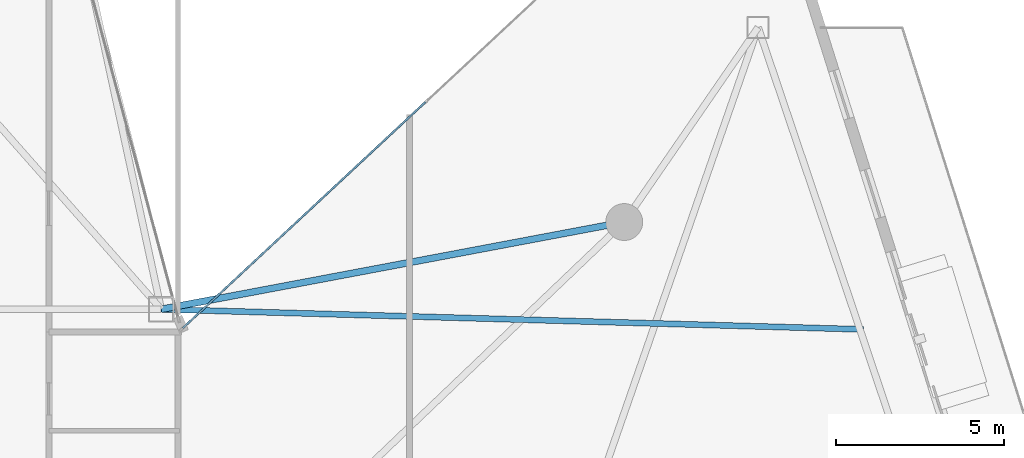
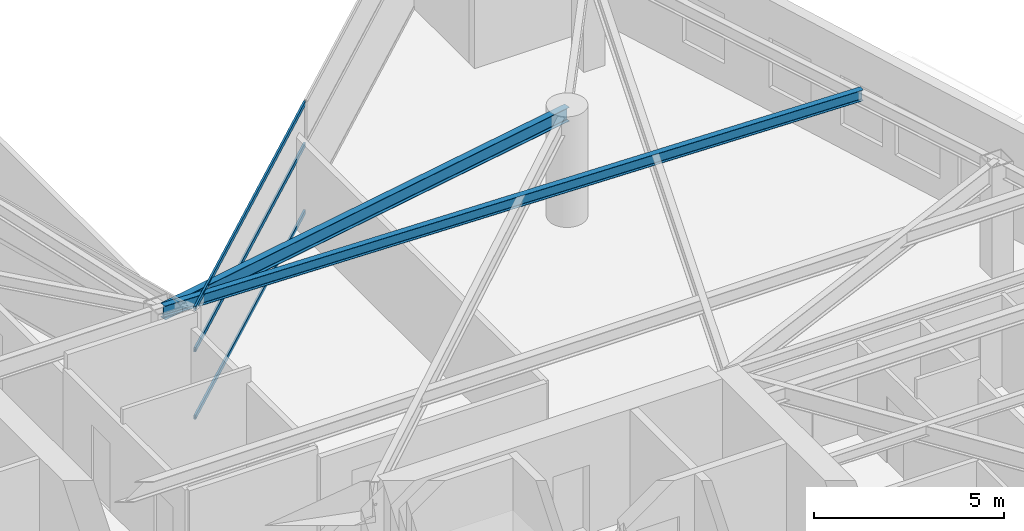
# One storey, part 11 of 28: 3 members, 2 beams, 1 element without a shape of its own.
"""IFC4 building model written with IfcOpenShell, lengths in metres."""

from ifc_helpers import new_model, si_unit, direction, frame, origin, origin_2d, place, context, subcontext, project, spatial, hollow_rectangle, i_section, extrude, material, layer, layer_set, material_profile, profile_set, type_object, element, aggregate, save


model = new_model("IFC4")

# Units and contexts
model_context = context("Model", 3, precision=1e-05, world=origin(), true_north=direction((0.0, 1.0)))
body_context = subcontext(model_context, "Body", "Model", "MODEL_VIEW")
ifc_project = project(units=[si_unit("LENGTHUNIT", "METRE"), si_unit("AREAUNIT", "SQUARE_METRE"), si_unit("VOLUMEUNIT", "CUBIC_METRE"), si_unit("PLANEANGLEUNIT", "RADIAN"), si_unit("MASSUNIT", "GRAM", prefix="KILO")], contexts=[model_context])

# Site, building, storey
site_placement = place(None, origin())
site = spatial("IfcSite", under=ifc_project, at=site_placement, CompositionType="ELEMENT")
building_placement = place(site_placement, origin())
building = spatial("IfcBuilding", under=site, at=building_placement, Name="Calvorn Quay Hotel", CompositionType="ELEMENT")
storey_placement = place(building_placement, frame((0.0, 0.0, 219.300048828125)))
storey = spatial("IfcBuildingStorey", under=building, at=storey_placement, Name="L54", CompositionType="ELEMENT", Elevation=219.300048828125)

# Beams
ifc_material_1 = material(Name="Steel Q355B", Category="steel")
ifc_material_profile_1 = material_profile(ifc_material_1, i_section(OverallWidth=0.175048828125, OverallDepth=0.35009765625, WebThickness=0.007080078125, FlangeThickness=0.010986328125, FilletRadius=0.013916015625, at=origin_2d()), Name="HN350x175x7x11")
ifc_profile_set_1 = profile_set([ifc_material_profile_1], Name="Steel Q355B")
beam_type_1 = type_object("IfcBeamType", Name="BM-JOIST-SEC", PredefinedType="JOIST", material=ifc_profile_set_1)
beam_1_placement = place(storey_placement, frame((21.0, 25.0, 3.364990234375), z_axis=(0.999589103827, -0.028663975842, 0.0), x_axis=(0.028663975842, 0.999589103827, 0.0)))
element("IfcBeam", 1, at=beam_1_placement, inside=storey, type_object=beam_type_1, Name="Beam BJ-L54-E3", PredefinedType="JOIST", context=body_context, shape_type="SweptSolid", body=[
    extrude(i_section(OverallWidth=0.175048828125, OverallDepth=0.35009765625, WebThickness=0.007080078125, FlangeThickness=0.010986328125, FilletRadius=0.013916015625, at=origin_2d()), origin(), (0.0, 0.0, 1.0), 20.935546875),
])
ifc_material_2 = material(Name="Steel Q355B", Category="steel")
ifc_material_profile_2 = material_profile(ifc_material_2, i_section(OverallWidth=0.199951171875, OverallDepth=0.449951171875, WebThickness=0.009033203125, FlangeThickness=0.013916015625, FilletRadius=0.01611328125, at=origin_2d()), Name="HN450x200x9x14")
ifc_profile_set_2 = profile_set([ifc_material_profile_2], Name="Steel Q355B")
beam_type_2 = type_object("IfcBeamType", Name="BM-SPANDREL-Z3", PredefinedType="SPANDREL", material=ifc_profile_set_2)
beam_2_placement = place(storey_placement, frame((34.800048828125, 27.60009765625, 3.31494140625), z_axis=(-0.982709432406, -0.185154452988, 0.0), x_axis=(0.185154452988, -0.982709432406, 0.0)))
element("IfcBeam", 2, at=beam_2_placement, inside=storey, type_object=beam_type_2, Name="Beam BSP-L54-E4", PredefinedType="SPANDREL", context=body_context, shape_type="SweptSolid", body=[
    extrude(i_section(OverallWidth=0.199951171875, OverallDepth=0.449951171875, WebThickness=0.009033203125, FlangeThickness=0.013916015625, FilletRadius=0.01611328125, at=origin_2d()), origin(), (0.0, 0.0, 1.0), 14.04296875),
])

# Curtain wall, members
ifc_material_3 = material(Name="Champagne Bronze Anodised Aluminium and Low-E Glass", Category="aluminium")
ifc_layer = layer(ifc_material_3, 0.219970703125)
ifc_layer_set = layer_set([ifc_layer], Name="CW-SYS-Z3")
curtain_wall_type = type_object("IfcCurtainWallType", Name="CW-SYS-Z3", PredefinedType="NOTDEFINED", material=ifc_layer_set)
curtain_wall_placement = place(storey_placement, origin())
curtain_wall = element("IfcCurtainWall", 3, at=curtain_wall_placement, inside=storey, type_object=curtain_wall_type, Name="Inner Court Curtain Wall L54-NE1", PredefinedType="NOTDEFINED")
ifc_material_4 = material(Name="Champagne Bronze Anodised Aluminium 6063-T6", Category="aluminium")
ifc_material_profile_3 = material_profile(ifc_material_4, hollow_rectangle(XDim=0.05810546875, YDim=0.139892578125, WallThickness=0.003173828125, at=origin_2d()), Name="ALU-T140x58x3.2")
ifc_profile_set_3 = profile_set([ifc_material_profile_3], Name="Champagne Bronze Anodised Aluminium 6063-T6")
member_type = type_object("IfcMemberType", Name="CW-SYS-Z3-TRN", PredefinedType="USERDEFINED", material=ifc_profile_set_3)
member_1_placement = place(storey_placement, frame((28.8779296875, 31.179443359375, 0.030029296875), z_axis=(-0.731727475975, -0.681597315798, 0.0), x_axis=(0.681597315798, -0.731727475975, 0.0)))
member_1 = element("IfcMember", 4, at=member_1_placement, type_object=member_type, Name="CW-L54-NE1 transom 2.1", ObjectType="TRANSOM", PredefinedType="USERDEFINED", context=body_context, shape_type="SweptSolid", body=[
    extrude(hollow_rectangle(XDim=0.05810546875, YDim=0.139892578125, WallThickness=0.003173828125, at=origin_2d()), origin(), (0.0, 0.0, 1.0), 9.886474609375),
])
member_2_placement = place(storey_placement, frame((28.8779296875, 31.179443359375, 2.199951171875), z_axis=(-0.731727475975, -0.681597315798, 0.0), x_axis=(0.681597315798, -0.731727475975, 0.0)))
member_2 = element("IfcMember", 5, at=member_2_placement, type_object=member_type, Name="CW-L54-NE1 transom 2.2", ObjectType="TRANSOM", PredefinedType="USERDEFINED", context=body_context, shape_type="SweptSolid", body=[
    extrude(hollow_rectangle(XDim=0.05810546875, YDim=0.139892578125, WallThickness=0.003173828125, at=origin_2d()), origin(), (0.0, 0.0, 1.0), 9.886474609375),
])
member_3_placement = place(storey_placement, frame((28.8779296875, 31.179443359375, 3.530029296875), z_axis=(-0.731727475975, -0.681597315798, 0.0), x_axis=(0.681597315798, -0.731727475975, 0.0)))
member_3 = element("IfcMember", 6, at=member_3_placement, type_object=member_type, Name="CW-L54-NE1 transom 2.3", ObjectType="TRANSOM", PredefinedType="USERDEFINED", context=body_context, shape_type="SweptSolid", body=[
    extrude(hollow_rectangle(XDim=0.05810546875, YDim=0.139892578125, WallThickness=0.003173828125, at=origin_2d()), origin(), (0.0, 0.0, 1.0), 9.886474609375),
])
aggregate(curtain_wall, [member_1, member_2, member_3])

save(model, "model.ifc")
